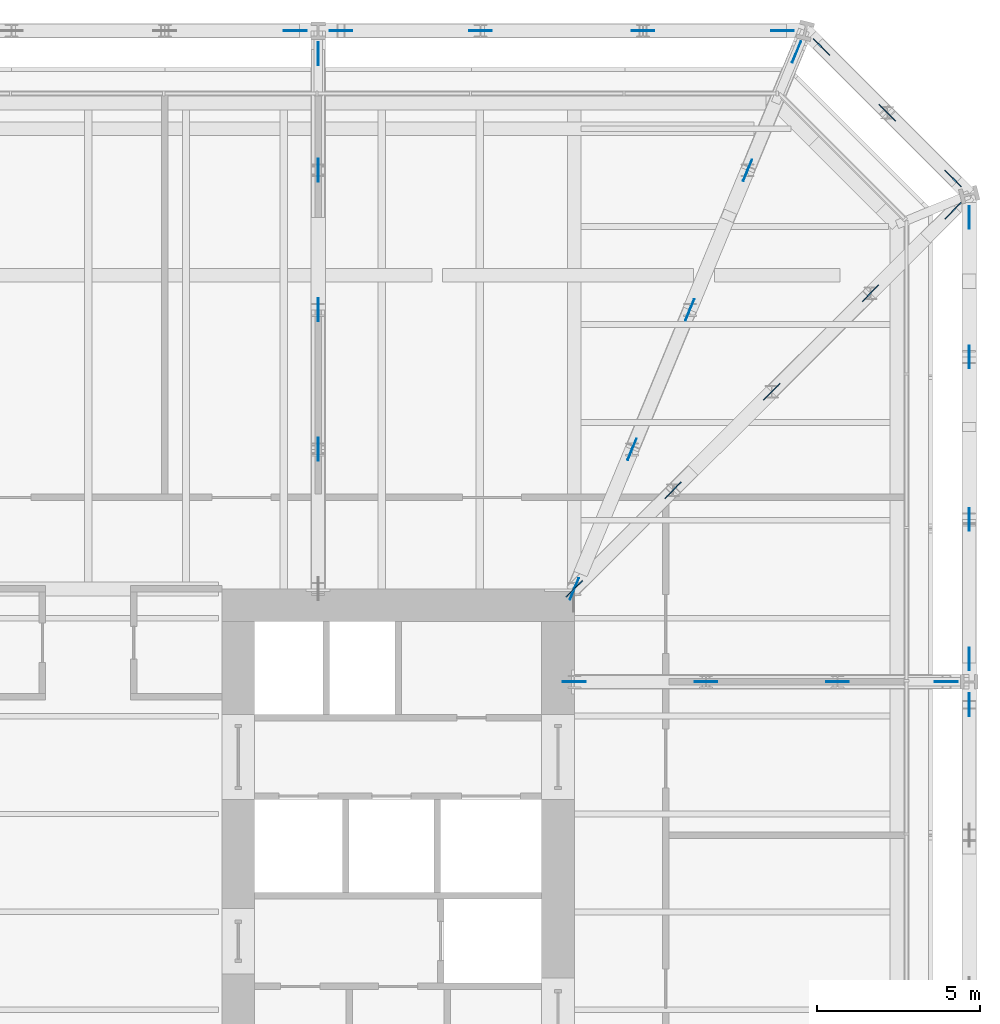
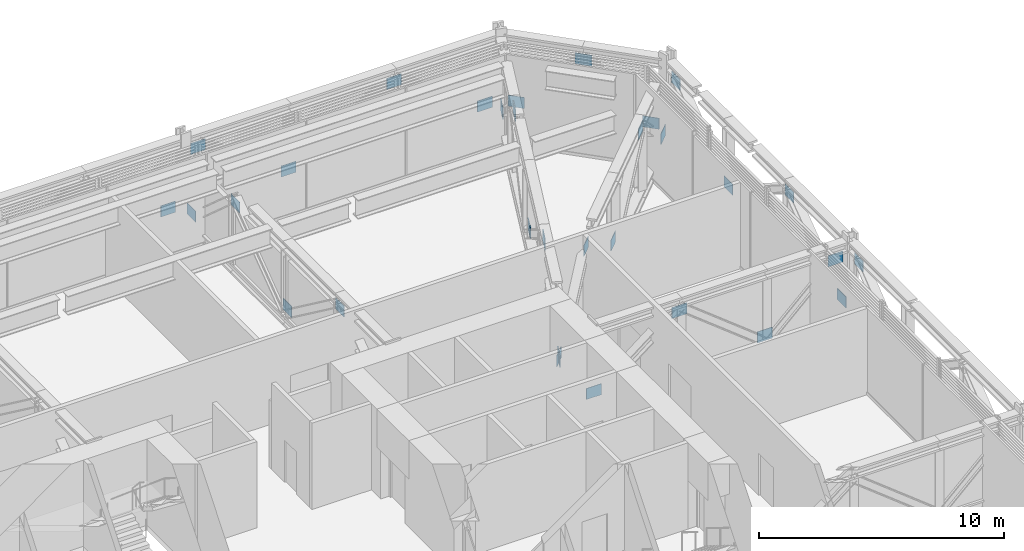
# One storey, part 32 of 33: 31 discrete accessories.
"""IFC4 building model written with IfcOpenShell, lengths in metres."""

from ifc_helpers import new_model, si_unit, direction, frame, origin, origin_2d, place, context, subcontext, project, spatial, rectangle, extrude, material, layer, layer_set, type_object, element, save


model = new_model("IFC4")

# Units and contexts
model_context = context("Model", 3, precision=1e-05, world=origin(), true_north=direction((0.0, 1.0)))
body_context = subcontext(model_context, "Body", "Model", "MODEL_VIEW")
ifc_project = project(units=[si_unit("LENGTHUNIT", "METRE"), si_unit("AREAUNIT", "SQUARE_METRE"), si_unit("VOLUMEUNIT", "CUBIC_METRE"), si_unit("PLANEANGLEUNIT", "RADIAN"), si_unit("MASSUNIT", "GRAM", prefix="KILO")], contexts=[model_context])

# Site, building, storey
site_placement = place(None, origin())
site = spatial("IfcSite", under=ifc_project, at=site_placement, CompositionType="ELEMENT")
building_placement = place(site_placement, origin())
building = spatial("IfcBuilding", under=site, at=building_placement, Name="Millrace Tower", CompositionType="ELEMENT")
storey_placement = place(building_placement, frame((0.0, 0.0, 64.10009765625)))
storey = spatial("IfcBuildingStorey", under=building, at=storey_placement, Name="L14", CompositionType="ELEMENT", Elevation=64.10009765625)

# Discrete accessories
ifc_material = material(Name="Steel ASTM A572 Grade 50", Category="steel")
ifc_layer = layer(ifc_material, 0.02490234375)
ifc_layer_set = layer_set([ifc_layer], Name="Steel ASTM A572 Grade 50")
discrete_accessory_type = type_object("IfcDiscreteAccessoryType", Name="Truss gusset plate 700x550x25", PredefinedType="BRACKET", material=ifc_layer_set)
discrete_accessory_1_placement = place(storey_placement, frame((27.0, 6.0, 3.411865234375), z_axis=(0.0, 1.0, 0.0), x_axis=(-1.0, 0.0, 0.0)))
element("IfcDiscreteAccessory", 1, at=discrete_accessory_1_placement, inside=storey, type_object=discrete_accessory_type, Name="Truss gusset plate BLT-L14-R07-D03 head", PredefinedType="BRACKET", context=body_context, shape_type="SweptSolid", body=[
    extrude(rectangle(XDim=0.02490234375, YDim=0.550048828125, at=origin_2d()), origin(), (0.0, 0.0, 1.0), 0.699951171875),
])
for number, where, z_axis, x_axis, name in (
    (2, (27.0, 7.39990234375, 0.7880859375), (0.0, 1.0, 0.0), (-1.0, 0.0, 0.0), "Truss gusset plate BLT-L14-R08-D01 foot"),
    (3, (27.0, 11.676025390625, 3.411865234375), (0.0, 1.0, 0.0), (-1.0, 0.0, 0.0), "Truss gusset plate BLT-L14-R08-D01 head"),
):
    element("IfcDiscreteAccessory", number, at=place(storey_placement, frame(where, z_axis=z_axis, x_axis=x_axis)), inside=storey, type_object=discrete_accessory_type, Name=name, PredefinedType="BRACKET", context=body_context, shape_type="SweptSolid", body=[
        extrude(rectangle(XDim=0.02490234375, YDim=0.550048828125, at=origin_2d()), origin(), (0.0, 0.0, 1.0), 0.7001953125),
    ])
for number, where, z_axis, x_axis, name in (
    (4, (27.0, 16.65234375, 0.7880859375), (0.0, 1.0, 0.0), (-1.0, 0.0, 0.0), "Truss gusset plate BLT-L14-R08-D02 foot"),
    (5, (27.0, 20.928466796875, 3.411865234375), (0.0, 1.0, 0.0), (-1.0, 0.0, 0.0), "Truss gusset plate BLT-L14-R08-D03 head"),
    (6, (26.257568359375, 22.720947265625, 0.7880859375), (0.706932380706, -0.707281138664, 0.0), (0.707281138664, 0.706932380706, 0.0), "Truss gusset plate BLT-L14-R09-D01 foot"),
):
    element("IfcDiscreteAccessory", number, at=place(storey_placement, frame(where, z_axis=z_axis, x_axis=x_axis)), inside=storey, type_object=discrete_accessory_type, Name=name, PredefinedType="BRACKET", context=body_context, shape_type="SweptSolid", body=[
        extrude(rectangle(XDim=0.02490234375, YDim=0.550048828125, at=origin_2d()), origin(), (0.0, 0.0, 1.0), 0.699951171875),
    ])
discrete_accessory_2_placement = place(storey_placement, frame((24.24169921875, 24.73681640625, 3.411865234375), z_axis=(0.707106781187, -0.707106781187, 0.0), x_axis=(0.707106781187, 0.707106781187, 0.0)))
element("IfcDiscreteAccessory", 7, at=discrete_accessory_2_placement, inside=storey, type_object=discrete_accessory_type, Name="Truss gusset plate BLT-L14-R09-D01 head", PredefinedType="BRACKET", context=body_context, shape_type="SweptSolid", body=[
    extrude(rectangle(XDim=0.02490234375, YDim=0.550048828125, at=origin_2d()), origin(), (0.0, 0.0, 1.0), 0.7001953125),
])
for number, where, z_axis, x_axis, name in (
    (8, (22.225830078125, 26.75244140625, 0.7880859375), (0.707281138664, -0.706932380706, 0.0), (0.706932380706, 0.707281138664, 0.0), "Truss gusset plate BLT-L14-R09-D02 foot"),
    (9, (20.928466796875, 27.0, 0.7880859375), (1.0, 0.0, 0.0), (0.0, 1.0, 0.0), "Truss gusset plate BLT-L14-R10-D01 foot"),
    (10, (16.65234375, 27.0, 3.411865234375), (1.0, 0.0, 0.0), (0.0, 1.0, 0.0), "Truss gusset plate BLT-L14-R10-D01 head"),
):
    element("IfcDiscreteAccessory", number, at=place(storey_placement, frame(where, z_axis=z_axis, x_axis=x_axis)), inside=storey, type_object=discrete_accessory_type, Name=name, PredefinedType="BRACKET", context=body_context, shape_type="SweptSolid", body=[
        extrude(rectangle(XDim=0.02490234375, YDim=0.550048828125, at=origin_2d()), origin(), (0.0, 0.0, 1.0), 0.699951171875),
    ])
for number, where, z_axis, x_axis, name in (
    (11, (11.676025390625, 27.0, 0.7880859375), (1.0, 0.0, 0.0), (0.0, 1.0, 0.0), "Truss gusset plate BLT-L14-R10-D02 foot"),
    (12, (7.39990234375, 27.0, 3.411865234375), (1.0, 0.0, 0.0), (0.0, 1.0, 0.0), "Truss gusset plate BLT-L14-R10-D03 head"),
):
    element("IfcDiscreteAccessory", number, at=place(storey_placement, frame(where, z_axis=z_axis, x_axis=x_axis)), inside=storey, type_object=discrete_accessory_type, Name=name, PredefinedType="BRACKET", context=body_context, shape_type="SweptSolid", body=[
        extrude(rectangle(XDim=0.02490234375, YDim=0.550048828125, at=origin_2d()), origin(), (0.0, 0.0, 1.0), 0.7001953125),
    ])
for number, where, z_axis, x_axis, name in (
    (13, (6.0, 27.0, 0.7880859375), (1.0, 0.0, 0.0), (0.0, 1.0, 0.0), "Truss gusset plate BLT-L14-R11-D01 foot"),
    (14, (14.550048828125, 7.050048828125, 0.7880859375), (1.0, 0.0, 0.0), (0.0, 1.0, 0.0), "Truss gusset plate BLT-L14-O08-D01 foot"),
    (15, (18.583251953125, 7.050048828125, 3.411865234375), (1.0, 0.0, 0.0), (0.0, 1.0, 0.0), "Truss gusset plate BLT-L14-O08-D01 head"),
    (16, (22.61669921875, 7.050048828125, 0.7880859375), (1.0, 0.0, 0.0), (0.0, 1.0, 0.0), "Truss gusset plate BLT-L14-O08-D02 foot"),
    (17, (25.949951171875, 7.050048828125, 3.411865234375), (1.0, 0.0, 0.0), (0.0, 1.0, 0.0), "Truss gusset plate BLT-L14-O08-D03 head"),
    (18, (14.65234375, 9.652587890625, 0.7880859375), (0.707629724481, 0.706583450861, 0.0), (-0.706583450861, 0.707629724481, 0.0), "Truss gusset plate BLT-L14-O09-D01 foot"),
    (19, (17.67724609375, 12.67236328125, 3.411865234375), (0.707629724481, 0.706583450861, 0.0), (-0.706583450861, 0.707629724481, 0.0), "Truss gusset plate BLT-L14-O09-D01 head"),
    (20, (20.702392578125, 15.69189453125, 0.7880859375), (0.707629724481, 0.706583450861, 0.0), (-0.706583450861, 0.707629724481, 0.0), "Truss gusset plate BLT-L14-O09-D02 foot"),
    (21, (23.727294921875, 18.711669921875, 3.411865234375), (0.707804124643, 0.706408749336, 0.0), (-0.706408749336, 0.707804124643, 0.0), "Truss gusset plate BLT-L14-O09-D03 head"),
    (22, (26.2568359375, 21.236572265625, 0.7880859375), (0.707629724481, 0.706583450861, 0.0), (-0.706583450861, 0.707629724481, 0.0), "Truss gusset plate BLT-L14-O09-D04 foot"),
    (23, (14.76611328125, 9.57666015625, 0.7880859375), (0.382608492088, 0.92391057023, 0.0), (-0.92391057023, 0.382608492088, 0.0), "Truss gusset plate BLT-L14-O10-D01 foot"),
    (24, (16.53564453125, 13.8515625, 3.411865234375), (0.382608492088, 0.92391057023, 0.0), (-0.92391057023, 0.382608492088, 0.0), "Truss gusset plate BLT-L14-O10-D01 head"),
    (25, (18.305419921875, 18.126708984375, 0.7880859375), (0.38231071261, 0.924033830021, 0.0), (-0.924033830021, 0.38231071261, 0.0), "Truss gusset plate BLT-L14-O10-D02 foot"),
    (26, (20.074951171875, 22.401611328125, 3.411865234375), (0.382608492088, 0.92391057023, 0.0), (-0.92391057023, 0.382608492088, 0.0), "Truss gusset plate BLT-L14-O10-D03 head"),
    (27, (21.576904296875, 26.02978515625, 0.7880859375), (0.38231071261, 0.924033830021, 0.0), (-0.924033830021, 0.38231071261, 0.0), "Truss gusset plate BLT-L14-O10-D04 foot"),
    (28, (7.050048828125, 13.824951171875, 3.411865234375), (0.0, 1.0, 0.0), (-1.0, 0.0, 0.0), "Truss gusset plate BLT-L14-O11-D01 head"),
    (29, (7.050048828125, 18.10009765625, 0.7880859375), (0.0, 1.0, 0.0), (-1.0, 0.0, 0.0), "Truss gusset plate BLT-L14-O11-D02 foot"),
    (30, (7.050048828125, 22.375, 3.411865234375), (0.0, 1.0, 0.0), (-1.0, 0.0, 0.0), "Truss gusset plate BLT-L14-O11-D03 head"),
    (31, (7.050048828125, 25.949951171875, 0.7880859375), (0.0, 1.0, 0.0), (-1.0, 0.0, 0.0), "Truss gusset plate BLT-L14-O11-D04 foot"),
):
    element("IfcDiscreteAccessory", number, at=place(storey_placement, frame(where, z_axis=z_axis, x_axis=x_axis)), inside=storey, type_object=discrete_accessory_type, Name=name, PredefinedType="BRACKET", context=body_context, shape_type="SweptSolid", body=[
        extrude(rectangle(XDim=0.02490234375, YDim=0.550048828125, at=origin_2d()), origin(), (0.0, 0.0, 1.0), 0.699951171875),
    ])

save(model, "model.ifc")
